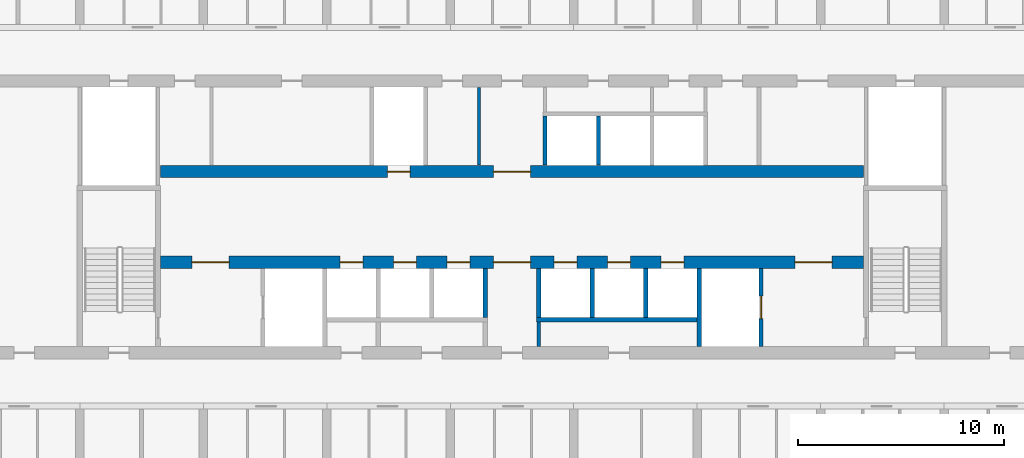
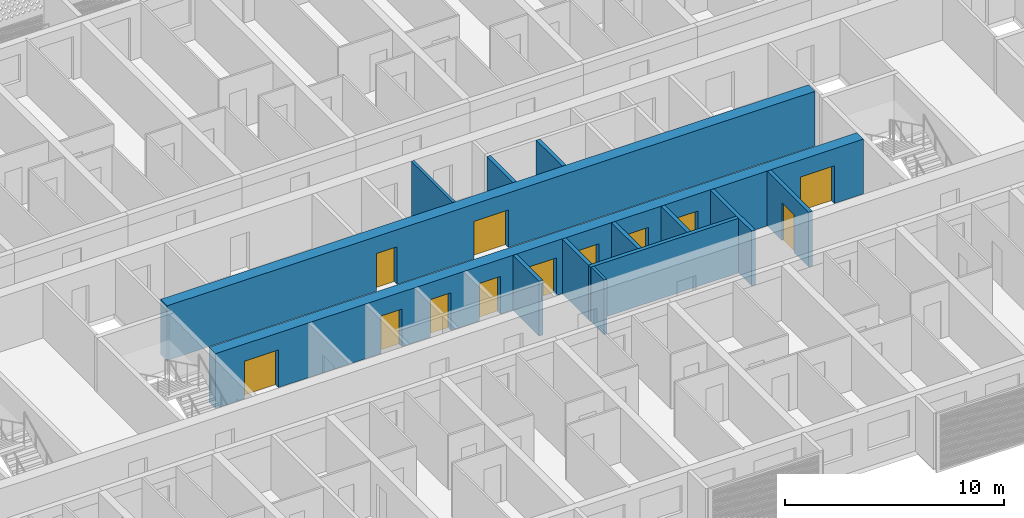
# One storey, part 10 of 44: 13 walls, 12 doors, 12 openings.
"""IFC4 building model written with IfcOpenShell, lengths in metres."""

from ifc_helpers import new_model, si_unit, direction, frame, frame_2d, origin, place, context, subcontext, project, spatial, rectangle, extrude, material, layer, layer_set, type_object, element, fill, save


model = new_model("IFC4")

# Units and contexts
model_context = context("Model", 3, precision=1e-05, world=origin(), true_north=direction((0.0, 1.0)))
body_context = subcontext(model_context, "Body", "Model", "MODEL_VIEW")
ifc_project = project(units=[si_unit("LENGTHUNIT", "METRE"), si_unit("AREAUNIT", "SQUARE_METRE"), si_unit("VOLUMEUNIT", "CUBIC_METRE"), si_unit("PLANEANGLEUNIT", "RADIAN"), si_unit("MASSUNIT", "GRAM", prefix="KILO")], contexts=[model_context])

# Site, building, storey
site_placement = place(None, origin())
site = spatial("IfcSite", under=ifc_project, at=site_placement, CompositionType="ELEMENT")
building_placement = place(site_placement, origin())
building = spatial("IfcBuilding", under=site, at=building_placement, Name="Poui Terraces", CompositionType="ELEMENT")
storey_placement = place(building_placement, frame((0.0, 0.0, 26.699951171875)))
storey = spatial("IfcBuildingStorey", under=building, at=storey_placement, Name="L06", CompositionType="ELEMENT", Elevation=26.699951171875)

# Wall, openings, doors
ifc_material_1 = material(Name="Concrete 80 MPa", Category="concrete")
ifc_layer_1 = layer(ifc_material_1, 0.60009765625)
ifc_layer_set_1 = layer_set([ifc_layer_1], Name="Concrete 80 MPa")
wall_type_1 = type_object("IfcWallType", Name="CORE WALL 600 80 MPA", PredefinedType="SOLIDWALL", material=ifc_layer_set_1)
wall_1_placement = place(storey_placement, frame((33.925048828125, 19.0, 0.0), z_axis=(0.0, 0.0, 1.0), x_axis=(1.0, 0.0, 0.0)))
wall_1 = element("IfcWall", 1, at=wall_1_placement, inside=storey, type_object=wall_type_1, Name="CORE WALL", PredefinedType="SOLIDWALL", context=body_context, shape_type="SweptSolid", body=[
    extrude(rectangle(XDim=34.14990234375, YDim=0.60009765625, at=frame_2d((17.074951171875, 0.0))), origin(), (0.0, 0.0, 1.0), 3.050048828125),
])
opening_1_placement = place(wall_1_placement, frame((16.175048828125, 0.0, 0.0)))
opening_1 = element("IfcOpeningElement", 2, at=opening_1_placement, cuts=wall_1, Name="Opening FDD60", PredefinedType="OPENING", context=body_context, shape_type="SweptSolid", body=[
    extrude(rectangle(XDim=1.800048828125, YDim=2.10009765625, at=frame_2d((0.89990234375, 1.050048828125))), frame((0.0, 0.31005859375, 0.0), z_axis=(0.0, -1.0, 0.0), x_axis=(1.0, 0.0, 0.0)), (0.0, 0.0, 1.0), 0.6201171875),
])
opening_2_placement = place(wall_1_placement, frame((1.52490234375, 0.0, 0.0)))
opening_2 = element("IfcOpeningElement", 3, at=opening_2_placement, cuts=wall_1, Name="Opening FDD60", PredefinedType="OPENING", context=body_context, shape_type="SweptSolid", body=[
    extrude(rectangle(XDim=1.800048828125, YDim=2.10009765625, at=frame_2d((0.89990234375, 1.050048828125))), frame((0.0, 0.31005859375, 0.0), z_axis=(0.0, -1.0, 0.0), x_axis=(1.0, 0.0, 0.0)), (0.0, 0.0, 1.0), 0.6201171875),
])
opening_3_placement = place(wall_1_placement, frame((8.72509765625, 0.0, 0.0)))
opening_3 = element("IfcOpeningElement", 4, at=opening_3_placement, cuts=wall_1, Name="Opening LD", PredefinedType="OPENING", context=body_context, shape_type="SweptSolid", body=[
    extrude(rectangle(XDim=1.10009765625, YDim=2.10009765625, at=frame_2d((0.550048828125, 1.050048828125))), frame((0.0, 0.31005859375, 0.0), z_axis=(0.0, -1.0, 0.0), x_axis=(1.0, 0.0, 0.0)), (0.0, 0.0, 1.0), 0.6201171875),
])
opening_4_placement = place(wall_1_placement, frame((11.324951171875, 0.0, 0.0)))
opening_4 = element("IfcOpeningElement", 5, at=opening_4_placement, cuts=wall_1, Name="Opening LD", PredefinedType="OPENING", context=body_context, shape_type="SweptSolid", body=[
    extrude(rectangle(XDim=1.10009765625, YDim=2.10009765625, at=frame_2d((0.550048828125, 1.050048828125))), frame((0.0, 0.31005859375, 0.0), z_axis=(0.0, -1.0, 0.0), x_axis=(1.0, 0.0, 0.0)), (0.0, 0.0, 1.0), 0.6201171875),
])
opening_5_placement = place(wall_1_placement, frame((13.925048828125, 0.0, 0.0)))
opening_5 = element("IfcOpeningElement", 6, at=opening_5_placement, cuts=wall_1, Name="Opening LD", PredefinedType="OPENING", context=body_context, shape_type="SweptSolid", body=[
    extrude(rectangle(XDim=1.10009765625, YDim=2.10009765625, at=frame_2d((0.550048828125, 1.050048828125))), frame((0.0, 0.31005859375, 0.0), z_axis=(0.0, -1.0, 0.0), x_axis=(1.0, 0.0, 0.0)), (0.0, 0.0, 1.0), 0.6201171875),
])
opening_6_placement = place(wall_1_placement, frame((19.125, 0.0, 0.0)))
opening_6 = element("IfcOpeningElement", 7, at=opening_6_placement, cuts=wall_1, Name="Opening LD", PredefinedType="OPENING", context=body_context, shape_type="SweptSolid", body=[
    extrude(rectangle(XDim=1.10009765625, YDim=2.10009765625, at=frame_2d((0.550048828125, 1.050048828125))), frame((0.0, 0.31005859375, 0.0), z_axis=(0.0, -1.0, 0.0), x_axis=(1.0, 0.0, 0.0)), (0.0, 0.0, 1.0), 0.6201171875),
])
opening_7_placement = place(wall_1_placement, frame((21.72509765625, 0.0, 0.0)))
opening_7 = element("IfcOpeningElement", 8, at=opening_7_placement, cuts=wall_1, Name="Opening LD", PredefinedType="OPENING", context=body_context, shape_type="SweptSolid", body=[
    extrude(rectangle(XDim=1.10009765625, YDim=2.10009765625, at=frame_2d((0.550048828125, 1.050048828125))), frame((0.0, 0.31005859375, 0.0), z_axis=(0.0, -1.0, 0.0), x_axis=(1.0, 0.0, 0.0)), (0.0, 0.0, 1.0), 0.6201171875),
])
opening_8_placement = place(wall_1_placement, frame((24.324951171875, 0.0, 0.0)))
opening_8 = element("IfcOpeningElement", 9, at=opening_8_placement, cuts=wall_1, Name="Opening LD", PredefinedType="OPENING", context=body_context, shape_type="SweptSolid", body=[
    extrude(rectangle(XDim=1.10009765625, YDim=2.10009765625, at=frame_2d((0.550048828125, 1.050048828125))), frame((0.0, 0.31005859375, 0.0), z_axis=(0.0, -1.0, 0.0), x_axis=(1.0, 0.0, 0.0)), (0.0, 0.0, 1.0), 0.6201171875),
])
opening_9_placement = place(wall_1_placement, frame((30.824951171875, 0.0, 0.0)))
opening_9 = element("IfcOpeningElement", 10, at=opening_9_placement, cuts=wall_1, Name="Opening FDD60", PredefinedType="OPENING", context=body_context, shape_type="SweptSolid", body=[
    extrude(rectangle(XDim=1.800048828125, YDim=2.10009765625, at=frame_2d((0.89990234375, 1.050048828125))), frame((0.0, 0.31005859375, 0.0), z_axis=(0.0, -1.0, 0.0), x_axis=(1.0, 0.0, 0.0)), (0.0, 0.0, 1.0), 0.6201171875),
])
ifc_material_2 = material(Name="Steel fire door", Category="steel")
door_type_1 = type_object("IfcDoorType", Name="DOUBLE LOBBY FIRE DOOR 1800 X 2100", OperationType="DOUBLE_DOOR_SINGLE_SWING", PredefinedType="DOOR", material=ifc_material_2)
door_1_placement = place(opening_1_placement, frame((1.800048828125, 0.0, 0.0), z_axis=(0.0, 0.0, 1.0), x_axis=(-1.0, 0.0, 0.0)))
door_1 = element("IfcDoor", 11, at=door_1_placement, inside=storey, type_object=door_type_1, Name="DOUBLE LOBBY FIRE DOOR 156", OperationType="DOUBLE_DOOR_SINGLE_SWING", OverallHeight=2.10009765625, OverallWidth=1.800048828125, PredefinedType="DOOR", context=body_context, shape_type="SweptSolid", body=[
    extrude(rectangle(XDim=1.800048828125, YDim=2.10009765625, at=frame_2d((0.89990234375, 1.050048828125))), frame((0.0, 0.02490234375, 0.0), z_axis=(0.0, -1.0, 0.0), x_axis=(1.0, 0.0, 0.0)), (0.0, 0.0, 1.0), 0.050048828125),
])
fill(opening_1, door_1)
door_2_placement = place(opening_2_placement, origin())
door_2 = element("IfcDoor", 12, at=door_2_placement, inside=storey, type_object=door_type_1, Name="DOUBLE LOBBY FIRE DOOR 157", OperationType="DOUBLE_DOOR_SINGLE_SWING", OverallHeight=2.10009765625, OverallWidth=1.800048828125, PredefinedType="DOOR", context=body_context, shape_type="SweptSolid", body=[
    extrude(rectangle(XDim=1.800048828125, YDim=2.10009765625, at=frame_2d((0.89990234375, 1.050048828125))), frame((0.0, 0.02490234375, 0.0), z_axis=(0.0, -1.0, 0.0), x_axis=(1.0, 0.0, 0.0)), (0.0, 0.0, 1.0), 0.050048828125),
])
fill(opening_2, door_2)
door_3_placement = place(opening_9_placement, origin())
door_3 = element("IfcDoor", 13, at=door_3_placement, inside=storey, type_object=door_type_1, Name="DOUBLE LOBBY FIRE DOOR 165", OperationType="DOUBLE_DOOR_SINGLE_SWING", OverallHeight=2.10009765625, OverallWidth=1.800048828125, PredefinedType="DOOR", context=body_context, shape_type="SweptSolid", body=[
    extrude(rectangle(XDim=1.800048828125, YDim=2.10009765625, at=frame_2d((0.89990234375, 1.050048828125))), frame((0.0, 0.02490234375, 0.0), z_axis=(0.0, -1.0, 0.0), x_axis=(1.0, 0.0, 0.0)), (0.0, 0.0, 1.0), 0.050048828125),
])
fill(opening_9, door_3)
ifc_material_3 = material(Name="Stainless steel sliding door", Category="steel")
door_type_2 = type_object("IfcDoorType", Name="LIFT LANDING DOOR 1100 X 2100", OperationType="DOUBLE_DOOR_SLIDING", PredefinedType="DOOR", material=ifc_material_3)
door_4_placement = place(opening_3_placement, origin())
door_4 = element("IfcDoor", 14, at=door_4_placement, inside=storey, type_object=door_type_2, Name="LANDING DOOR", OperationType="DOUBLE_DOOR_SLIDING", OverallHeight=2.10009765625, OverallWidth=1.10009765625, PredefinedType="DOOR", context=body_context, shape_type="SweptSolid", body=[
    extrude(rectangle(XDim=1.10009765625, YDim=2.10009765625, at=frame_2d((0.550048828125, 1.050048828125))), frame((0.0, 0.02490234375, 0.0), z_axis=(0.0, -1.0, 0.0), x_axis=(1.0, 0.0, 0.0)), (0.0, 0.0, 1.0), 0.050048828125),
])
fill(opening_3, door_4)
door_5_placement = place(opening_4_placement, origin())
door_5 = element("IfcDoor", 15, at=door_5_placement, inside=storey, type_object=door_type_2, Name="LANDING DOOR", OperationType="DOUBLE_DOOR_SLIDING", OverallHeight=2.10009765625, OverallWidth=1.10009765625, PredefinedType="DOOR", context=body_context, shape_type="SweptSolid", body=[
    extrude(rectangle(XDim=1.10009765625, YDim=2.10009765625, at=frame_2d((0.550048828125, 1.050048828125))), frame((0.0, 0.02490234375, 0.0), z_axis=(0.0, -1.0, 0.0), x_axis=(1.0, 0.0, 0.0)), (0.0, 0.0, 1.0), 0.050048828125),
])
fill(opening_4, door_5)
door_6_placement = place(opening_5_placement, origin())
door_6 = element("IfcDoor", 16, at=door_6_placement, inside=storey, type_object=door_type_2, Name="LANDING DOOR", OperationType="DOUBLE_DOOR_SLIDING", OverallHeight=2.10009765625, OverallWidth=1.10009765625, PredefinedType="DOOR", context=body_context, shape_type="SweptSolid", body=[
    extrude(rectangle(XDim=1.10009765625, YDim=2.10009765625, at=frame_2d((0.550048828125, 1.050048828125))), frame((0.0, 0.02490234375, 0.0), z_axis=(0.0, -1.0, 0.0), x_axis=(1.0, 0.0, 0.0)), (0.0, 0.0, 1.0), 0.050048828125),
])
fill(opening_5, door_6)
door_7_placement = place(opening_6_placement, origin())
door_7 = element("IfcDoor", 17, at=door_7_placement, inside=storey, type_object=door_type_2, Name="LANDING DOOR", OperationType="DOUBLE_DOOR_SLIDING", OverallHeight=2.10009765625, OverallWidth=1.10009765625, PredefinedType="DOOR", context=body_context, shape_type="SweptSolid", body=[
    extrude(rectangle(XDim=1.10009765625, YDim=2.10009765625, at=frame_2d((0.550048828125, 1.050048828125))), frame((0.0, 0.02490234375, 0.0), z_axis=(0.0, -1.0, 0.0), x_axis=(1.0, 0.0, 0.0)), (0.0, 0.0, 1.0), 0.050048828125),
])
fill(opening_6, door_7)
door_8_placement = place(opening_7_placement, origin())
door_8 = element("IfcDoor", 18, at=door_8_placement, inside=storey, type_object=door_type_2, Name="LANDING DOOR", OperationType="DOUBLE_DOOR_SLIDING", OverallHeight=2.10009765625, OverallWidth=1.10009765625, PredefinedType="DOOR", context=body_context, shape_type="SweptSolid", body=[
    extrude(rectangle(XDim=1.10009765625, YDim=2.10009765625, at=frame_2d((0.550048828125, 1.050048828125))), frame((0.0, 0.02490234375, 0.0), z_axis=(0.0, -1.0, 0.0), x_axis=(1.0, 0.0, 0.0)), (0.0, 0.0, 1.0), 0.050048828125),
])
fill(opening_7, door_8)
door_9_placement = place(opening_8_placement, origin())
door_9 = element("IfcDoor", 19, at=door_9_placement, inside=storey, type_object=door_type_2, Name="LANDING DOOR", OperationType="DOUBLE_DOOR_SLIDING", OverallHeight=2.10009765625, OverallWidth=1.10009765625, PredefinedType="DOOR", context=body_context, shape_type="SweptSolid", body=[
    extrude(rectangle(XDim=1.10009765625, YDim=2.10009765625, at=frame_2d((0.550048828125, 1.050048828125))), frame((0.0, 0.02490234375, 0.0), z_axis=(0.0, -1.0, 0.0), x_axis=(1.0, 0.0, 0.0)), (0.0, 0.0, 1.0), 0.050048828125),
])
fill(opening_8, door_9)

wall_2_placement = place(storey_placement, frame((33.925048828125, 23.39990234375, 0.0), z_axis=(0.0, 0.0, 1.0), x_axis=(1.0, 0.0, 0.0)))
wall_2 = element("IfcWall", 20, at=wall_2_placement, inside=storey, type_object=wall_type_1, Name="CORE WALL", PredefinedType="SOLIDWALL", context=body_context, shape_type="SweptSolid", body=[
    extrude(rectangle(XDim=34.14990234375, YDim=0.60009765625, at=frame_2d((17.074951171875, 0.0))), origin(), (0.0, 0.0, 1.0), 3.050048828125),
])
opening_10_placement = place(wall_2_placement, frame((16.175048828125, 0.0, 0.0)))
opening_10 = element("IfcOpeningElement", 21, at=opening_10_placement, cuts=wall_2, Name="Opening FDD60", PredefinedType="OPENING", context=body_context, shape_type="SweptSolid", body=[
    extrude(rectangle(XDim=1.800048828125, YDim=2.10009765625, at=frame_2d((0.89990234375, 1.050048828125))), frame((0.0, 0.31005859375, 0.0), z_axis=(0.0, -1.0, 0.0), x_axis=(1.0, 0.0, 0.0)), (0.0, 0.0, 1.0), 0.6201171875),
])
opening_11_placement = place(wall_2_placement, frame((11.02490234375, 0.0, 0.0)))
opening_11 = element("IfcOpeningElement", 22, at=opening_11_placement, cuts=wall_2, Name="Opening LD", PredefinedType="OPENING", context=body_context, shape_type="SweptSolid", body=[
    extrude(rectangle(XDim=1.10009765625, YDim=2.10009765625, at=frame_2d((0.550048828125, 1.050048828125))), frame((0.0, 0.31005859375, 0.0), z_axis=(0.0, -1.0, 0.0), x_axis=(1.0, 0.0, 0.0)), (0.0, 0.0, 1.0), 0.6201171875),
])
door_10_placement = place(opening_10_placement, origin())
door_10 = element("IfcDoor", 23, at=door_10_placement, inside=storey, type_object=door_type_1, Name="DOUBLE LOBBY FIRE DOOR 155", OperationType="DOUBLE_DOOR_SINGLE_SWING", OverallHeight=2.10009765625, OverallWidth=1.800048828125, PredefinedType="DOOR", context=body_context, shape_type="SweptSolid", body=[
    extrude(rectangle(XDim=1.800048828125, YDim=2.10009765625, at=frame_2d((0.89990234375, 1.050048828125))), frame((0.0, 0.02490234375, 0.0), z_axis=(0.0, -1.0, 0.0), x_axis=(1.0, 0.0, 0.0)), (0.0, 0.0, 1.0), 0.050048828125),
])
fill(opening_10, door_10)
door_11_placement = place(opening_11_placement, origin())
door_11 = element("IfcDoor", 24, at=door_11_placement, inside=storey, type_object=door_type_2, Name="LANDING DOOR", OperationType="DOUBLE_DOOR_SLIDING", OverallHeight=2.10009765625, OverallWidth=1.10009765625, PredefinedType="DOOR", context=body_context, shape_type="SweptSolid", body=[
    extrude(rectangle(XDim=1.10009765625, YDim=2.10009765625, at=frame_2d((0.550048828125, 1.050048828125))), frame((0.0, 0.02490234375, 0.0), z_axis=(0.0, -1.0, 0.0), x_axis=(1.0, 0.0, 0.0)), (0.0, 0.0, 1.0), 0.050048828125),
])
fill(opening_11, door_11)

# Walls
ifc_material_4 = material(Name="Fire-rated plasterboard wall")
ifc_layer_2 = layer(ifc_material_4, 0.14990234375)
ifc_layer_set_2 = layer_set([ifc_layer_2], Name="Fire-rated plasterboard wall")
wall_type_2 = type_object("IfcWallType", Name="CORRIDOR WALL 150", PredefinedType="PARTITIONING", material=ifc_layer_set_2)
wall_3_placement = place(storey_placement, frame((49.39990234375, 23.7099609375, 0.0), z_axis=(0.0, 0.0, 1.0), x_axis=(0.0, 1.0, 0.0)))
element("IfcWall", 25, at=wall_3_placement, inside=storey, type_object=wall_type_2, Name="CORRIDOR WALL 150", PredefinedType="PARTITIONING", context=body_context, shape_type="SweptSolid", body=[
    extrude(rectangle(XDim=3.780029296875, YDim=0.14990234375, at=frame_2d((1.89013671875, 0.0))), origin(), (0.0, 0.0, 1.0), 3.050048828125),
])
wall_4_placement = place(storey_placement, frame((52.300048828125, 14.909912109375, 0.0), z_axis=(0.0, 0.0, 1.0), x_axis=(0.0, 1.0, 0.0)))
element("IfcWall", 26, at=wall_4_placement, inside=storey, type_object=wall_type_2, Name="CORRIDOR WALL 150", PredefinedType="PARTITIONING", context=body_context, shape_type="SweptSolid", body=[
    extrude(rectangle(XDim=1.190185546875, YDim=0.14990234375, at=frame_2d((0.59521484375, 0.0))), origin(), (0.0, 0.0, 1.0), 3.050048828125),
])
ifc_material_5 = material(Name="Fire-rated masonry shaft wall", Category="masonry")
ifc_layer_3 = layer(ifc_material_5, 0.199951171875)
ifc_layer_set_3 = layer_set([ifc_layer_3], Name="Fire-rated masonry shaft wall")
wall_type_3 = type_object("IfcWallType", Name="SHAFT WALL 200", PredefinedType="PARTITIONING", material=ifc_layer_set_3)
wall_5_placement = place(storey_placement, frame((52.199951171875, 16.199951171875, 0.0), z_axis=(0.0, 0.0, 1.0), x_axis=(1.0, 0.0, 0.0)))
element("IfcWall", 27, at=wall_5_placement, inside=storey, type_object=wall_type_3, Name="SHAFT WALL 200", PredefinedType="PARTITIONING", context=body_context, shape_type="SweptSolid", body=[
    extrude(rectangle(XDim=7.800048828125, YDim=0.199951171875, at=frame_2d((3.89990234375, 0.0))), origin(), (0.0, 0.0, 1.0), 3.050048828125),
])
for number, where, z_axis, x_axis, name in (
    (28, (49.699951171875, 16.300048828125, 0.0), (0.0, 0.0, 1.0), (0.0, 1.0, 0.0), "SHAFT WALL 200"),
    (29, (52.300048828125, 16.300048828125, 0.0), (0.0, 0.0, 1.0), (0.0, 1.0, 0.0), "SHAFT WALL 200"),
):
    element("IfcWall", number, at=place(storey_placement, frame(where, z_axis=z_axis, x_axis=x_axis)), inside=storey, type_object=wall_type_3, Name=name, PredefinedType="PARTITIONING", context=body_context, shape_type="SweptSolid", body=[
        extrude(rectangle(XDim=2.389892578125, YDim=0.199951171875, at=frame_2d((1.19482421875, 0.0))), origin(), (0.0, 0.0, 1.0), 3.050048828125),
    ])
wall_6_placement = place(storey_placement, frame((52.60009765625, 23.7099609375, 0.0), z_axis=(0.0, 0.0, 1.0), x_axis=(0.0, 1.0, 0.0)))
element("IfcWall", 30, at=wall_6_placement, inside=storey, type_object=wall_type_3, Name="SHAFT WALL 200", PredefinedType="PARTITIONING", context=body_context, shape_type="SweptSolid", body=[
    extrude(rectangle(XDim=2.39013671875, YDim=0.199951171875, at=frame_2d((1.195068359375, 0.0))), origin(), (0.0, 0.0, 1.0), 3.050048828125),
])
wall_7_placement = place(storey_placement, frame((54.89990234375, 16.300048828125, 0.0), z_axis=(0.0, 0.0, 1.0), x_axis=(0.0, 1.0, 0.0)))
element("IfcWall", 31, at=wall_7_placement, inside=storey, type_object=wall_type_3, Name="SHAFT WALL 200", PredefinedType="PARTITIONING", context=body_context, shape_type="SweptSolid", body=[
    extrude(rectangle(XDim=2.389892578125, YDim=0.199951171875, at=frame_2d((1.19482421875, 0.0))), origin(), (0.0, 0.0, 1.0), 3.050048828125),
])
wall_8_placement = place(storey_placement, frame((55.199951171875, 23.7099609375, 0.0), z_axis=(0.0, 0.0, 1.0), x_axis=(0.0, 1.0, 0.0)))
element("IfcWall", 32, at=wall_8_placement, inside=storey, type_object=wall_type_3, Name="SHAFT WALL 200", PredefinedType="PARTITIONING", context=body_context, shape_type="SweptSolid", body=[
    extrude(rectangle(XDim=2.39013671875, YDim=0.199951171875, at=frame_2d((1.195068359375, 0.0))), origin(), (0.0, 0.0, 1.0), 3.050048828125),
])
wall_9_placement = place(storey_placement, frame((57.5, 16.300048828125, 0.0), z_axis=(0.0, 0.0, 1.0), x_axis=(0.0, 1.0, 0.0)))
element("IfcWall", 33, at=wall_9_placement, inside=storey, type_object=wall_type_3, Name="SHAFT WALL 200", PredefinedType="PARTITIONING", context=body_context, shape_type="SweptSolid", body=[
    extrude(rectangle(XDim=2.389892578125, YDim=0.199951171875, at=frame_2d((1.19482421875, 0.0))), origin(), (0.0, 0.0, 1.0), 3.050048828125),
])
wall_10_placement = place(storey_placement, frame((60.10009765625, 14.909912109375, 0.0), z_axis=(0.0, 0.0, 1.0), x_axis=(0.0, 1.0, 0.0)))
element("IfcWall", 34, at=wall_10_placement, inside=storey, type_object=wall_type_3, Name="SHAFT WALL 200", PredefinedType="PARTITIONING", context=body_context, shape_type="SweptSolid", body=[
    extrude(rectangle(XDim=3.780029296875, YDim=0.199951171875, at=frame_2d((1.89013671875, 0.0))), origin(), (0.0, 0.0, 1.0), 3.050048828125),
])

# Wall, opening, door
wall_11_placement = place(storey_placement, frame((63.10009765625, 14.909912109375, 0.0), z_axis=(0.0, 0.0, 1.0), x_axis=(0.0, 1.0, 0.0)))
wall_11 = element("IfcWall", 35, at=wall_11_placement, inside=storey, type_object=wall_type_3, Name="SHAFT WALL 200", PredefinedType="PARTITIONING", context=body_context, shape_type="SweptSolid", body=[
    extrude(rectangle(XDim=3.780029296875, YDim=0.199951171875, at=frame_2d((1.89013671875, 0.0))), origin(), (0.0, 0.0, 1.0), 3.050048828125),
])
opening_12_placement = place(wall_11_placement, frame((1.340087890625, 0.0, 0.0)))
opening_12 = element("IfcOpeningElement", 36, at=opening_12_placement, cuts=wall_11, Name="Opening LD", PredefinedType="OPENING", context=body_context, shape_type="SweptSolid", body=[
    extrude(rectangle(XDim=1.10009765625, YDim=2.10009765625, at=frame_2d((0.550048828125, 1.050048828125))), frame((0.0, 0.10986328125, 0.0), z_axis=(0.0, -1.0, 0.0), x_axis=(1.0, 0.0, 0.0)), (0.0, 0.0, 1.0), 0.219970703125),
])
door_12_placement = place(opening_12_placement, origin())
door_12 = element("IfcDoor", 37, at=door_12_placement, inside=storey, type_object=door_type_2, Name="LANDING DOOR", OperationType="DOUBLE_DOOR_SLIDING", OverallHeight=2.10009765625, OverallWidth=1.10009765625, PredefinedType="DOOR", context=body_context, shape_type="SweptSolid", body=[
    extrude(rectangle(XDim=1.10009765625, YDim=2.10009765625, at=frame_2d((0.550048828125, 1.050048828125))), frame((0.0, 0.02490234375, 0.0), z_axis=(0.0, -1.0, 0.0), x_axis=(1.0, 0.0, 0.0)), (0.0, 0.0, 1.0), 0.050048828125),
])
fill(opening_12, door_12)

save(model, "model.ifc")
